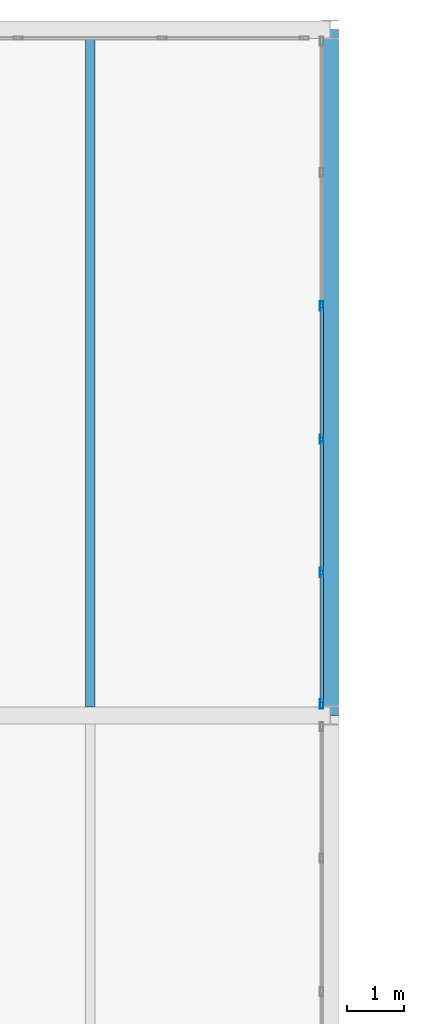
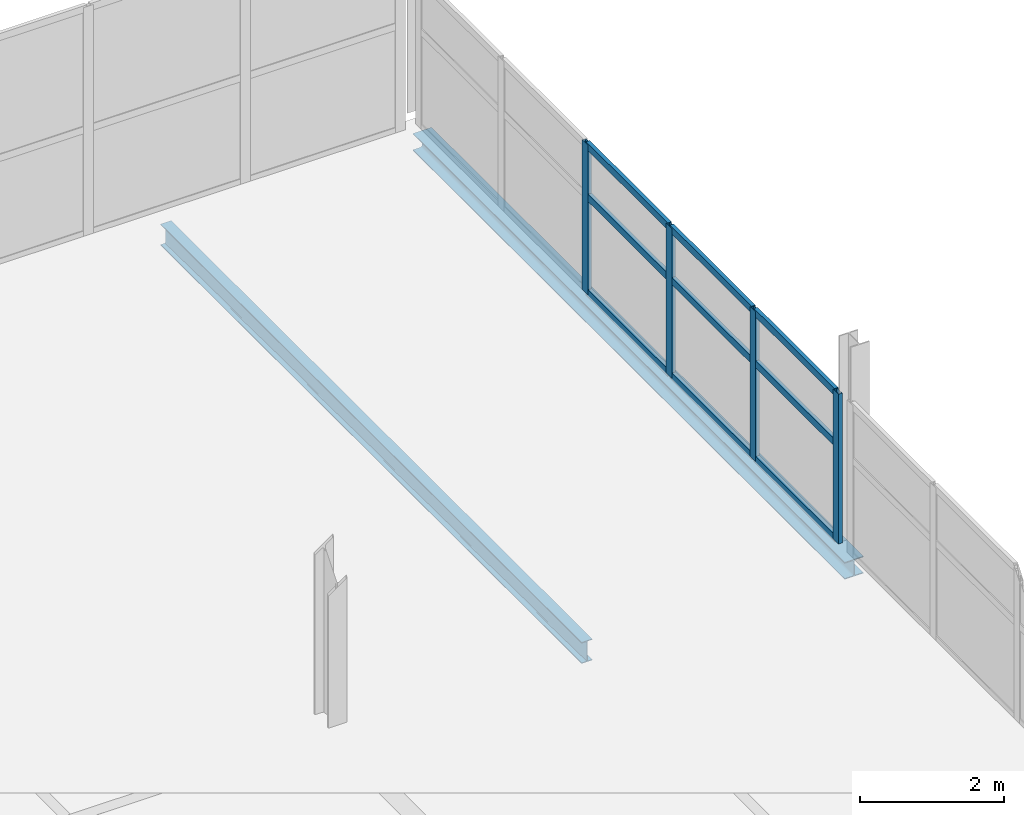
# One storey, part 67 of 103: 13 members, 2 beams, 1 element without a shape of its own.
"""IFC4 building model written with IfcOpenShell, lengths in metres."""

from ifc_helpers import new_model, si_unit, direction, frame, origin, origin_2d, place, context, subcontext, project, spatial, hollow_rectangle, i_section, extrude, material, material_profile, profile_set, type_object, element, aggregate, save


model = new_model("IFC4")

# Units and contexts
model_context = context("Model", 3, precision=1e-05, world=origin(), true_north=direction((0.0, 1.0)))
body_context = subcontext(model_context, "Body", "Model", "MODEL_VIEW")
ifc_project = project(units=[si_unit("LENGTHUNIT", "METRE"), si_unit("AREAUNIT", "SQUARE_METRE"), si_unit("VOLUMEUNIT", "CUBIC_METRE"), si_unit("PLANEANGLEUNIT", "RADIAN"), si_unit("MASSUNIT", "GRAM", prefix="KILO")], contexts=[model_context])

# Site, building, storey
site_placement = place(None, origin())
site = spatial("IfcSite", under=ifc_project, at=site_placement, CompositionType="ELEMENT")
building_placement = place(site_placement, origin())
building = spatial("IfcBuilding", under=site, at=building_placement, Name="Veltarok Museum of Natural Sciences", CompositionType="ELEMENT")
storey_placement = place(building_placement, frame((0.0, 0.0, 21.89990234375)))
storey = spatial("IfcBuildingStorey", under=building, at=storey_placement, Name="L04", CompositionType="ELEMENT", Elevation=21.89990234375)

# Curtain wall, members
ifc_material_1 = material(Name="Low-iron triple insulated glass", Category="glass")
curtain_wall_type = type_object("IfcCurtainWallType", Name="Curtain Wall System CW-V2E-L04-2-1166x254 (CW-V2E L04 1166x254cm)", PredefinedType="NOTDEFINED", material=ifc_material_1)
curtain_wall_placement = place(storey_placement, origin())
curtain_wall = element("IfcCurtainWall", 1, at=curtain_wall_placement, inside=storey, type_object=curtain_wall_type, Name="Curtain Wall CW-V2E-L04-2-1166x254 CW-0138", PredefinedType="NOTDEFINED")
ifc_material_2 = material(Name="Thermally broken anodised aluminium", Category="aluminium")
ifc_material_profile_1 = material_profile(ifc_material_2, hollow_rectangle(XDim=0.06005859375, YDim=0.1201171875, WallThickness=0.0048828125, at=origin_2d()), Name="CW TRANSOM 60x120x5")
ifc_profile_set_1 = profile_set([ifc_material_profile_1], Name="Thermally broken anodised aluminium")
member_type_1 = type_object("IfcMemberType", Name="Curtain Wall Horizontal Transom 60x120x5", PredefinedType="USERDEFINED", material=ifc_profile_set_1)
member_1_placement = place(storey_placement, frame((98.64990234375, 60.22998046875, 0.028076171875), z_axis=(0.0, 1.0, 0.0), x_axis=(-1.0, 0.0, 0.0)))
member_1 = element("IfcMember", 2, at=member_1_placement, type_object=member_type_1, Name="CW-V2E-L04-2-1166x254 transom 1.1", ObjectType="TRANSOM", PredefinedType="USERDEFINED", context=body_context, shape_type="SweptSolid", body=[
    extrude(hollow_rectangle(XDim=0.06005859375, YDim=0.1201171875, WallThickness=0.0048828125, at=origin_2d()), origin(), (0.0, 0.0, 1.0), 2.241943359375),
])
member_2_placement = place(storey_placement, frame((98.64990234375, 60.22998046875, 1.648193359375), z_axis=(0.0, 1.0, 0.0), x_axis=(-1.0, 0.0, 0.0)))
member_2 = element("IfcMember", 3, at=member_2_placement, type_object=member_type_1, Name="CW-V2E-L04-2-1166x254 transom 1.2", ObjectType="TRANSOM", PredefinedType="USERDEFINED", context=body_context, shape_type="SweptSolid", body=[
    extrude(hollow_rectangle(XDim=0.06005859375, YDim=0.1201171875, WallThickness=0.0048828125, at=origin_2d()), origin(), (0.0, 0.0, 1.0), 2.241943359375),
])
member_3_placement = place(storey_placement, frame((98.64990234375, 60.22998046875, 2.510009765625), z_axis=(0.0, 1.0, 0.0), x_axis=(-1.0, 0.0, 0.0)))
member_3 = element("IfcMember", 4, at=member_3_placement, type_object=member_type_1, Name="CW-V2E-L04-2-1166x254 transom 1.3", ObjectType="TRANSOM", PredefinedType="USERDEFINED", context=body_context, shape_type="SweptSolid", body=[
    extrude(hollow_rectangle(XDim=0.06005859375, YDim=0.1201171875, WallThickness=0.0048828125, at=origin_2d()), origin(), (0.0, 0.0, 1.0), 2.241943359375),
])
member_4_placement = place(storey_placement, frame((98.64990234375, 62.531982421875, 0.028076171875), z_axis=(0.0, 1.0, 0.0), x_axis=(-1.0, 0.0, 0.0)))
member_4 = element("IfcMember", 5, at=member_4_placement, type_object=member_type_1, Name="CW-V2E-L04-2-1166x254 transom 2.1", ObjectType="TRANSOM", PredefinedType="USERDEFINED", context=body_context, shape_type="SweptSolid", body=[
    extrude(hollow_rectangle(XDim=0.06005859375, YDim=0.1201171875, WallThickness=0.0048828125, at=origin_2d()), origin(), (0.0, 0.0, 1.0), 2.27197265625),
])
member_5_placement = place(storey_placement, frame((98.64990234375, 62.531982421875, 1.648193359375), z_axis=(0.0, 1.0, 0.0), x_axis=(-1.0, 0.0, 0.0)))
member_5 = element("IfcMember", 6, at=member_5_placement, type_object=member_type_1, Name="CW-V2E-L04-2-1166x254 transom 2.2", ObjectType="TRANSOM", PredefinedType="USERDEFINED", context=body_context, shape_type="SweptSolid", body=[
    extrude(hollow_rectangle(XDim=0.06005859375, YDim=0.1201171875, WallThickness=0.0048828125, at=origin_2d()), origin(), (0.0, 0.0, 1.0), 2.27197265625),
])
member_6_placement = place(storey_placement, frame((98.64990234375, 62.531982421875, 2.510009765625), z_axis=(0.0, 1.0, 0.0), x_axis=(-1.0, 0.0, 0.0)))
member_6 = element("IfcMember", 7, at=member_6_placement, type_object=member_type_1, Name="CW-V2E-L04-2-1166x254 transom 2.3", ObjectType="TRANSOM", PredefinedType="USERDEFINED", context=body_context, shape_type="SweptSolid", body=[
    extrude(hollow_rectangle(XDim=0.06005859375, YDim=0.1201171875, WallThickness=0.0048828125, at=origin_2d()), origin(), (0.0, 0.0, 1.0), 2.27197265625),
])
member_7_placement = place(storey_placement, frame((98.64990234375, 64.864013671875, 0.028076171875), z_axis=(0.0, 1.0, 0.0), x_axis=(-1.0, 0.0, 0.0)))
member_7 = element("IfcMember", 8, at=member_7_placement, type_object=member_type_1, Name="CW-V2E-L04-2-1166x254 transom 3.1", ObjectType="TRANSOM", PredefinedType="USERDEFINED", context=body_context, shape_type="SweptSolid", body=[
    extrude(hollow_rectangle(XDim=0.06005859375, YDim=0.1201171875, WallThickness=0.0048828125, at=origin_2d()), origin(), (0.0, 0.0, 1.0), 2.27197265625),
])
member_8_placement = place(storey_placement, frame((98.64990234375, 64.864013671875, 1.648193359375), z_axis=(0.0, 1.0, 0.0), x_axis=(-1.0, 0.0, 0.0)))
member_8 = element("IfcMember", 9, at=member_8_placement, type_object=member_type_1, Name="CW-V2E-L04-2-1166x254 transom 3.2", ObjectType="TRANSOM", PredefinedType="USERDEFINED", context=body_context, shape_type="SweptSolid", body=[
    extrude(hollow_rectangle(XDim=0.06005859375, YDim=0.1201171875, WallThickness=0.0048828125, at=origin_2d()), origin(), (0.0, 0.0, 1.0), 2.27197265625),
])
member_9_placement = place(storey_placement, frame((98.64990234375, 64.864013671875, 2.510009765625), z_axis=(0.0, 1.0, 0.0), x_axis=(-1.0, 0.0, 0.0)))
member_9 = element("IfcMember", 10, at=member_9_placement, type_object=member_type_1, Name="CW-V2E-L04-2-1166x254 transom 3.3", ObjectType="TRANSOM", PredefinedType="USERDEFINED", context=body_context, shape_type="SweptSolid", body=[
    extrude(hollow_rectangle(XDim=0.06005859375, YDim=0.1201171875, WallThickness=0.0048828125, at=origin_2d()), origin(), (0.0, 0.0, 1.0), 2.27197265625),
])
ifc_material_profile_2 = material_profile(ifc_material_2, hollow_rectangle(XDim=0.06005859375, YDim=0.159912109375, WallThickness=0.0048828125, at=origin_2d()), Name="CW MULLION 60x160x5")
ifc_profile_set_2 = profile_set([ifc_material_profile_2], Name="Thermally broken anodised aluminium")
member_type_2 = type_object("IfcMemberType", Name="Curtain Wall Vertical Mullion 60x160x5", PredefinedType="MULLION", material=ifc_profile_set_2)
member_10_placement = place(storey_placement, frame((98.64990234375, 60.199951171875, -0.001953125), z_axis=(0.0, 0.0, 1.0), x_axis=(-1.0, 0.0, 0.0)))
member_10 = element("IfcMember", 11, at=member_10_placement, type_object=member_type_2, Name="CW-V2E-L04-2-1166x254 mullion 1", PredefinedType="MULLION", context=body_context, shape_type="SweptSolid", body=[
    extrude(hollow_rectangle(XDim=0.06005859375, YDim=0.159912109375, WallThickness=0.0048828125, at=origin_2d()), origin(), (0.0, 0.0, 1.0), 2.5419921875),
])
member_11_placement = place(storey_placement, frame((98.64990234375, 62.501953125, -0.001953125), z_axis=(0.0, 0.0, 1.0), x_axis=(-1.0, 0.0, 0.0)))
member_11 = element("IfcMember", 12, at=member_11_placement, type_object=member_type_2, Name="CW-V2E-L04-2-1166x254 mullion 2", PredefinedType="MULLION", context=body_context, shape_type="SweptSolid", body=[
    extrude(hollow_rectangle(XDim=0.06005859375, YDim=0.159912109375, WallThickness=0.0048828125, at=origin_2d()), origin(), (0.0, 0.0, 1.0), 2.5419921875),
])
member_12_placement = place(storey_placement, frame((98.64990234375, 64.833984375, -0.001953125), z_axis=(0.0, 0.0, 1.0), x_axis=(-1.0, 0.0, 0.0)))
member_12 = element("IfcMember", 13, at=member_12_placement, type_object=member_type_2, Name="CW-V2E-L04-2-1166x254 mullion 3", PredefinedType="MULLION", context=body_context, shape_type="SweptSolid", body=[
    extrude(hollow_rectangle(XDim=0.06005859375, YDim=0.159912109375, WallThickness=0.0048828125, at=origin_2d()), origin(), (0.0, 0.0, 1.0), 2.5419921875),
])
member_13_placement = place(storey_placement, frame((98.64990234375, 67.166015625, -0.001953125), z_axis=(0.0, 0.0, 1.0), x_axis=(-1.0, 0.0, 0.0)))
member_13 = element("IfcMember", 14, at=member_13_placement, type_object=member_type_2, Name="CW-V2E-L04-2-1166x254 mullion 4", PredefinedType="MULLION", context=body_context, shape_type="SweptSolid", body=[
    extrude(hollow_rectangle(XDim=0.06005859375, YDim=0.159912109375, WallThickness=0.0048828125, at=origin_2d()), origin(), (0.0, 0.0, 1.0), 2.5419921875),
])
aggregate(curtain_wall, [member_10, member_11, member_12, member_13, member_1, member_2, member_3, member_4, member_5, member_6, member_7, member_8, member_9])

# Beams
ifc_material_3 = material(Name="Steel S355J2", Category="steel")
ifc_material_profile_3 = material_profile(ifc_material_3, i_section(OverallWidth=0.300048828125, OverallDepth=0.2900390625, WebThickness=0.008544921875, FlangeThickness=0.013916015625, FilletRadius=0.027099609375, at=origin_2d()), Name="HEA 300")
ifc_profile_set_3 = profile_set([ifc_material_profile_3], Name="Steel S355J2")
beam_type_1 = type_object("IfcBeamType", Name="Glazed Hall Edge Spandrel HEA 300", PredefinedType="SPANDREL", material=ifc_profile_set_3)
beam_1_placement = place(storey_placement, frame((98.800048828125, 60.0, -0.39501953125), z_axis=(0.0, 1.0, 0.0), x_axis=(-1.0, 0.0, 0.0)))
element("IfcBeam", 15, at=beam_1_placement, inside=storey, type_object=beam_type_1, Name="Beam BM-SP03 L04 12/G-H", PredefinedType="SPANDREL", context=body_context, shape_type="SweptSolid", body=[
    extrude(i_section(OverallWidth=0.300048828125, OverallDepth=0.2900390625, WebThickness=0.008544921875, FlangeThickness=0.013916015625, FilletRadius=0.027099609375, at=origin_2d()), origin(), (0.0, 0.0, 1.0), 12.0),
])
ifc_material_profile_4 = material_profile(ifc_material_3, i_section(OverallWidth=0.169921875, OverallDepth=0.360107421875, WebThickness=0.008056640625, FlangeThickness=0.0126953125, FilletRadius=0.01806640625, at=origin_2d()), Name="IPE 360")
ifc_profile_set_4 = profile_set([ifc_material_profile_4], Name="Steel S355J2")
beam_type_2 = type_object("IfcBeamType", Name="Long-Bay Composite Joist IPE 360", PredefinedType="JOIST", material=ifc_profile_set_4)
beam_2_placement = place(storey_placement, frame((94.60009765625, 60.14794921875, -0.429931640625), z_axis=(0.0, 1.0, 0.0), x_axis=(-1.0, 0.0, 0.0)))
element("IfcBeam", 16, at=beam_2_placement, inside=storey, type_object=beam_type_2, Name="Secondary Joist BM-J01 L04 11-12/G-H.1", PredefinedType="JOIST", context=body_context, shape_type="SweptSolid", body=[
    extrude(i_section(OverallWidth=0.169921875, OverallDepth=0.360107421875, WebThickness=0.008056640625, FlangeThickness=0.0126953125, FilletRadius=0.01806640625, at=origin_2d()), origin(), (0.0, 0.0, 1.0), 11.7041015625),
])

save(model, "model.ifc")
